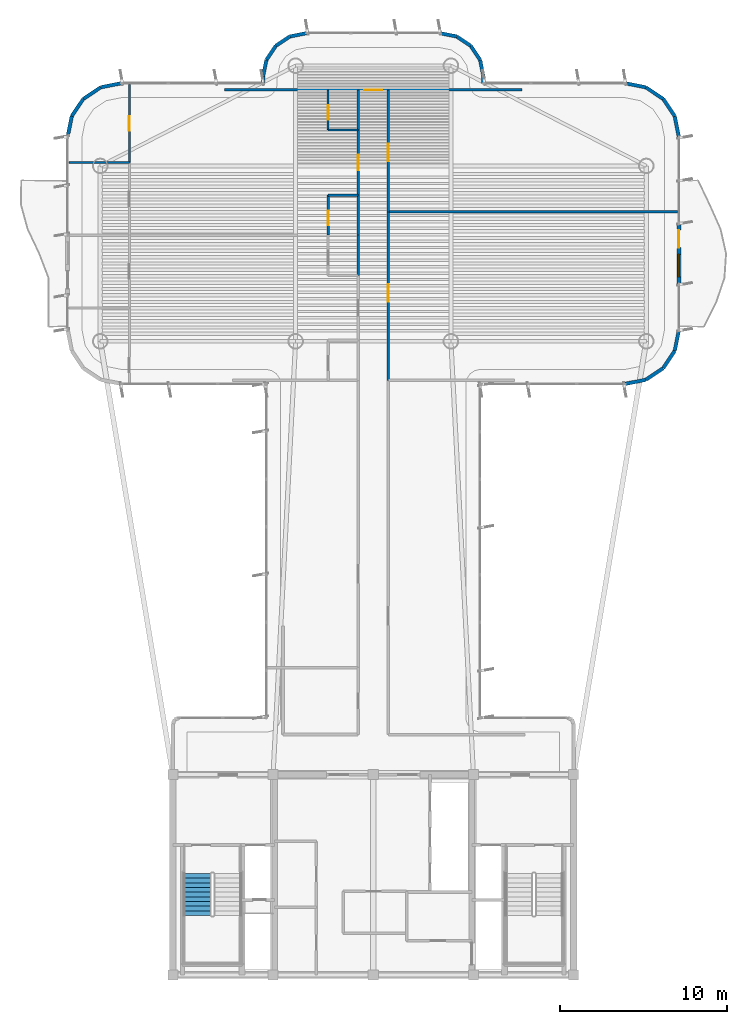
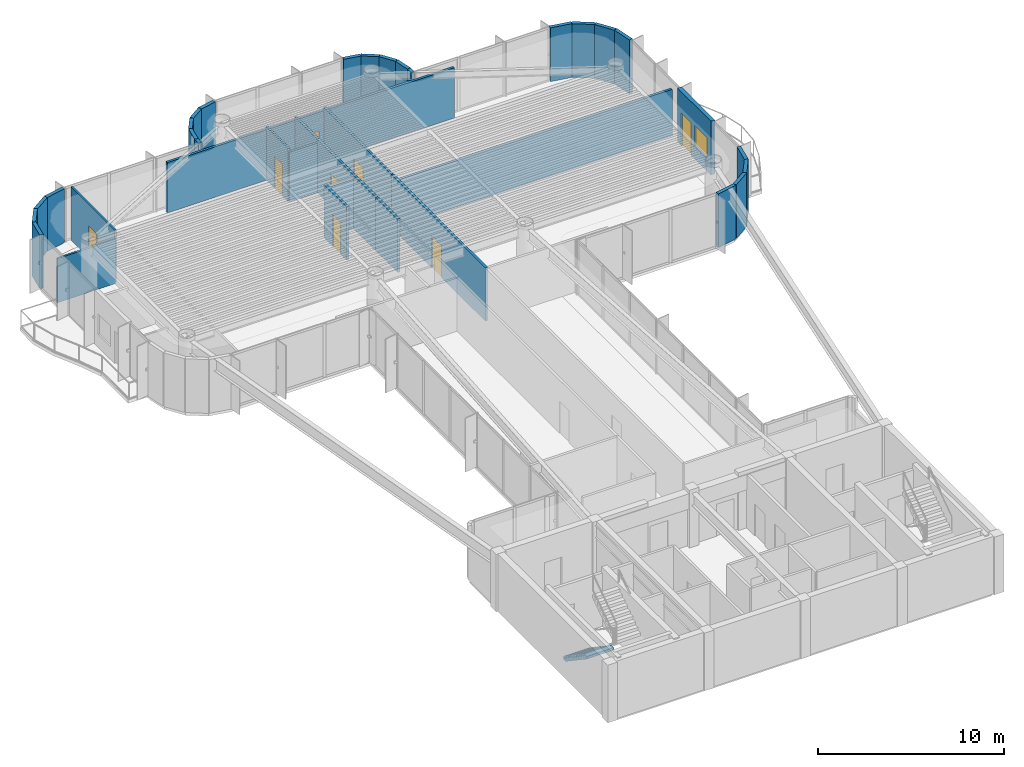
# One storey, part 12 of 15: 37 walls, 8 doors, 1 stair flight, 1 window, 9 openings, 1 element without a shape of its own.
"""IFC4 building model written with IfcOpenShell, lengths in metres."""

import ifcopenshell
import ifcopenshell.guid

model = None  # the IFC model being written
_history = None  # IfcOwnerHistory: only IFC2X3 demands one
_inside = {}  # id of a spatial element -> (the spatial element, [elements in it])
_under = {}  # id of a project, library or spatial element -> (it, [spatial elements below it])
_declared = {}  # id of a project -> (the project, [libraries it declares])
_typed = {}  # id of a type object -> (the type object, [elements of that type])
_made_of = {}  # id of a material, layer set ... -> (it, [elements and type objects made of it])


def new_model(schema):
    """Start an empty IFC model of exactly this schema.

    Asked for "IFC4X3", IfcOpenShell would pick the latest addendum, in which some entities
    have other attributes; the version numbers below select the first issue.
    IFC2X3 requires an IfcOwnerHistory on every rooted entity: one is made here for all.
    """
    global model, _history
    if schema == "IFC4X3":
        model = ifcopenshell.file(schema_version=(4, 3, 0, 0))
    else:
        model = ifcopenshell.file(schema=schema)
    _inside.clear()
    _under.clear()
    _declared.clear()
    _typed.clear()
    _made_of.clear()
    _history = None
    if model.schema == "IFC2X3":
        org = make("IfcOrganization", Name="unknown")
        user = make(
            "IfcPersonAndOrganization",
            ThePerson=make("IfcPerson", FamilyName="unknown"),
            TheOrganization=org,
        )
        app = make(
            "IfcApplication",
            ApplicationDeveloper=org,
            Version="unknown",
            ApplicationFullName="unknown",
            ApplicationIdentifier="unknown",
        )
        _history = make(
            "IfcOwnerHistory",
            OwningUser=user,
            OwningApplication=app,
            ChangeAction="ADDED",
            CreationDate=0,
        )
    return model


def make(cls, **values):
    """One entity of the class cls with the attributes given. An attribute that is None is left unset."""
    return model.create_entity(
        cls, **{name: value for name, value in values.items() if value is not None}
    )


def rooted(cls, **values):
    """An entity with a GlobalId (a new one), such as an element, a storey or a relation."""
    return make(cls, GlobalId=ifcopenshell.guid.new(), OwnerHistory=_history, **values)


def si_unit(unit_type, name, prefix=None):
    """IfcSIUnit, for example si_unit("LENGTHUNIT", "METRE", prefix="MILLI")."""
    return make("IfcSIUnit", UnitType=unit_type, Prefix=prefix, Name=name)


def assignment(units):
    """IfcUnitAssignment: the units of a project."""
    return None if units is None else make("IfcUnitAssignment", Units=units)


def point(xyz):
    """IfcCartesianPoint."""
    return None if xyz is None else make("IfcCartesianPoint", Coordinates=xyz)


def direction(xyz):
    """IfcDirection."""
    return None if xyz is None else make("IfcDirection", DirectionRatios=xyz)


def frame(location, z_axis=None, x_axis=None):
    """IfcAxis2Placement3D, a coordinate frame: its origin and axes. An axis left out is left unset."""
    return make(
        "IfcAxis2Placement3D",
        Location=point(location),
        Axis=direction(z_axis),
        RefDirection=direction(x_axis),
    )


def frame_2d(location, x_axis=None):
    """IfcAxis2Placement2D, a coordinate frame in the plane: its origin and x axis."""
    return make(
        "IfcAxis2Placement2D", Location=point(location), RefDirection=direction(x_axis)
    )


def origin():
    """The frame at (0, 0, 0) with its axes left unset."""
    return frame((0.0, 0.0, 0.0))


def origin_2d():
    """The frame at (0, 0) in the plane with its x axis left unset."""
    return frame_2d((0.0, 0.0))


def place(relative_to, where):
    """IfcLocalPlacement: puts the frame where relative to a parent placement (None: the world)."""
    return make(
        "IfcLocalPlacement", PlacementRelTo=relative_to, RelativePlacement=where
    )


def context(
    kind, dimensions, precision=None, world=None, true_north=None, identifier=None
):
    """IfcGeometricRepresentationContext, for example the 3D "Model" context."""
    return make(
        "IfcGeometricRepresentationContext",
        ContextIdentifier=identifier,
        ContextType=kind,
        CoordinateSpaceDimension=dimensions,
        Precision=precision,
        WorldCoordinateSystem=world,
        TrueNorth=true_north,
    )


def subcontext(parent, identifier, kind, view, scale=None):
    """IfcGeometricRepresentationSubContext, for example "Body" below "Model"."""
    return make(
        "IfcGeometricRepresentationSubContext",
        ContextIdentifier=identifier,
        ContextType=kind,
        ParentContext=parent,
        TargetScale=scale,
        TargetView=view,
    )


def project(units=None, contexts=None):
    """IfcProject with its units and contexts."""
    return rooted(
        "IfcProject",
        Name="project",
        RepresentationContexts=contexts,
        UnitsInContext=assignment(units),
    )


def spatial(cls, under=None, at=None, **own):
    """A site, building, storey or space (cls), placed at a placement, below another one or the project."""
    s = rooted(cls, ObjectPlacement=at, **own)
    if under is not None:
        _under.setdefault(under.id(), (under, []))[1].append(s)
    return s


def polyline(points):
    """IfcPolyline through the points."""
    return make("IfcPolyline", Points=[point(p) for p in points])


def profile(cls, at=None, kind="AREA", **sizes):
    """A parametric profile (cls). Its sizes go by their IFC names, for example OverallWidth=200.0."""
    return make(cls, ProfileType=kind, Position=at, **sizes)


def rectangle(**sizes):
    """IfcRectangleProfileDef."""
    return profile("IfcRectangleProfileDef", **sizes)


def outline(outer, holes=None, kind="AREA"):
    """IfcArbitraryClosedProfileDef: a profile drawn as a closed curve; with holes, ...WithVoids."""
    if holes is None:
        return make("IfcArbitraryClosedProfileDef", ProfileType=kind, OuterCurve=outer)
    return make(
        "IfcArbitraryProfileDefWithVoids",
        ProfileType=kind,
        OuterCurve=outer,
        InnerCurves=holes,
    )


def extrude(swept, where, along, depth):
    """IfcExtrudedAreaSolid: the profile swept, set in the frame where, extruded along a direction by depth."""
    return make(
        "IfcExtrudedAreaSolid",
        SweptArea=swept,
        Position=where,
        ExtrudedDirection=direction(along),
        Depth=depth,
    )


def shape(context_of_items, identifier, shape_type, items):
    """IfcShapeRepresentation: the items that make up one representation, for example the "Body"."""
    return make(
        "IfcShapeRepresentation",
        ContextOfItems=context_of_items,
        RepresentationIdentifier=identifier,
        RepresentationType=shape_type,
        Items=items,
    )


def source(mapping_origin, context_of_items, identifier, shape_type, items):
    """IfcRepresentationMap: a shape defined once, which mapped items show again and again."""
    return make(
        "IfcRepresentationMap",
        MappingOrigin=mapping_origin,
        MappedRepresentation=shape(context_of_items, identifier, shape_type, items),
    )


def transform(
    local_origin,
    x_axis=None,
    y_axis=None,
    z_axis=None,
    scale=None,
    scale2=None,
    scale3=None,
    uniform=True,
):
    """IfcCartesianTransformationOperator3D, or its non-uniform kind. x_axis, y_axis, z_axis: its Axis1, 2, 3."""
    if uniform:
        return make(
            "IfcCartesianTransformationOperator3D",
            Axis1=direction(x_axis),
            Axis2=direction(y_axis),
            LocalOrigin=point(local_origin),
            Scale=scale,
            Axis3=direction(z_axis),
        )
    return make(
        "IfcCartesianTransformationOperator3DnonUniform",
        Axis1=direction(x_axis),
        Axis2=direction(y_axis),
        LocalOrigin=point(local_origin),
        Scale=scale,
        Axis3=direction(z_axis),
        Scale2=scale2,
        Scale3=scale3,
    )


def mapped(mapping_source, mapping_target):
    """IfcMappedItem: shows the shape of a source again, moved by a transform."""
    return make(
        "IfcMappedItem", MappingSource=mapping_source, MappingTarget=mapping_target
    )


def material(Name=None, Category=None):
    """IfcMaterial."""
    return make("IfcMaterial", Name=Name, Category=Category)


def layer(
    of_material, thickness, ventilated=None, Name=None, Category=None, Priority=None
):
    """IfcMaterialLayer: one layer of a wall or slab, of a material (None: an air gap)."""
    return make(
        "IfcMaterialLayer",
        Material=of_material,
        LayerThickness=thickness,
        IsVentilated=ventilated,
        Name=Name,
        Category=Category,
        Priority=Priority,
    )


def layer_set(layers, Name=None):
    """IfcMaterialLayerSet."""
    return make("IfcMaterialLayerSet", MaterialLayers=layers, LayerSetName=Name)


def made_of(thing, what):
    """Note that an element or type object is made of a material, layer set ...; save() writes the relation."""
    if what is not None:
        _made_of.setdefault(what.id(), (what, []))[1].append(thing)
    return thing


def type_object(cls, material=None, **own):
    """A type object (cls), such as IfcWallType, which elements share."""
    return made_of(rooted(cls, **own), material)


def element(
    cls,
    number,
    at=None,
    inside=None,
    cuts=None,
    type_object=None,
    material=None,
    context=None,
    identifier="Body",
    shape_type=None,
    held_by="IfcProductDefinitionShape",
    body=None,
    shapes=None,
    **own,
):
    """One element of the class cls, such as IfcWall. Its Tag is "e" and its number.

    at: its placement. inside: the storey or other place that contains it. cuts: it is an
    opening in that element (IfcRelVoidsElement). A single representation is given by context,
    identifier, shape_type and body (its items); several are given by shapes. held_by: the class
    of the entity that holds the representations. save() writes the other relations.
    """
    e = rooted(cls, Tag="e%d" % number, ObjectPlacement=at, **own)
    if body is not None:
        shapes = [shape(context, identifier, shape_type, body)]
    if shapes is not None:
        e.Representation = make(held_by, Representations=shapes)
    if inside is not None:
        _inside.setdefault(inside.id(), (inside, []))[1].append(e)
    if cuts is not None:
        rooted(
            "IfcRelVoidsElement", RelatingBuildingElement=cuts, RelatedOpeningElement=e
        )
    if type_object is not None:
        _typed.setdefault(type_object.id(), (type_object, []))[1].append(e)
    return made_of(e, material)


def fill(opening, filler):
    """IfcRelFillsElement: the door or window that sits in an opening."""
    return rooted(
        "IfcRelFillsElement",
        RelatingOpeningElement=opening,
        RelatedBuildingElement=filler,
    )


def aggregate(whole, parts):
    """IfcRelAggregates: a whole, such as a stair, and the parts it consists of."""
    return rooted("IfcRelAggregates", RelatingObject=whole, RelatedObjects=parts)


def save(model, path):
    """Write the relations noted so far, then the file.

    IfcRelAggregates (storeys below a building ...), IfcRelContainedInSpatialStructure (elements
    in a storey), IfcRelDefinesByType, IfcRelAssociatesMaterial and IfcRelDeclares: one each for
    every whole, place, type object, material and project.
    """
    for whole, parts in _under.values():
        aggregate(whole, parts)
    for where, things in _inside.values():
        rooted(
            "IfcRelContainedInSpatialStructure",
            RelatedElements=things,
            RelatingStructure=where,
        )
    for kind, things in _typed.values():
        rooted("IfcRelDefinesByType", RelatedObjects=things, RelatingType=kind)
    for what, things in _made_of.values():
        rooted("IfcRelAssociatesMaterial", RelatedObjects=things, RelatingMaterial=what)
    for by, libraries in _declared.values():
        rooted("IfcRelDeclares", RelatingContext=by, RelatedDefinitions=libraries)
    model.write(path)


model = new_model("IFC4")

# Units and contexts
model_context = context("Model", 3, precision=1e-05, world=origin(), true_north=direction((0.0, 1.0)))
body_context = subcontext(model_context, "Body", "Model", "MODEL_VIEW")
ifc_project = project(units=[si_unit("LENGTHUNIT", "METRE"), si_unit("AREAUNIT", "SQUARE_METRE"), si_unit("VOLUMEUNIT", "CUBIC_METRE"), si_unit("PLANEANGLEUNIT", "RADIAN"), si_unit("MASSUNIT", "GRAM", prefix="KILO")], contexts=[model_context])

# Site, building, storey
site_placement = place(None, origin())
site = spatial("IfcSite", under=ifc_project, at=site_placement, CompositionType="ELEMENT")
building_placement = place(site_placement, origin())
building = spatial("IfcBuilding", under=site, at=building_placement, Name="Brelvock Crest Care Tower", CompositionType="ELEMENT")
storey_placement = place(building_placement, frame((0.0, 0.0, 279.719970703125)))
storey = spatial("IfcBuildingStorey", under=building, at=storey_placement, Name="L71", CompositionType="ELEMENT", Elevation=279.719970703125)

# Wall, openings, door, window
ifc_material_1 = material(Name="Precast concrete N40 (40 MPa)", Category="concrete")
ifc_layer_1 = layer(ifc_material_1, 0.239990234375, Name="WL-EX1")
ifc_layer_set_1 = layer_set([ifc_layer_1], Name="Precast concrete N40 (40 MPa)")
wall_type_1 = type_object("IfcWallType", Name="WL-EX1", PredefinedType="SOLIDWALL", material=ifc_layer_set_1)
wall_1_placement = place(storey_placement, frame((54.300048828125, 51.0, 0.0), z_axis=(0.0, 0.0, 1.0), x_axis=(0.0, -1.0, 0.0)))
wall_1 = element("IfcWall", 1, at=wall_1_placement, inside=storey, type_object=wall_type_1, Name="L71 Exterior Spandrel Wall WL-BAL-L71-E", PredefinedType="SOLIDWALL", context=body_context, shape_type="SweptSolid", body=[
    extrude(rectangle(XDim=3.60009765625, YDim=0.239990234375, at=frame_2d((1.800048828125, 0.0))), origin(), (0.0, 0.0, 1.0), 3.530029296875),
])
opening_1_placement = place(wall_1_placement, frame((0.39990234375, 0.0, 0.0)))
opening_1 = element("IfcOpeningElement", 2, at=opening_1_placement, cuts=wall_1, Name="Opening BD-1", PredefinedType="OPENING", context=body_context, shape_type="SweptSolid", body=[
    extrude(rectangle(XDim=1.050048828125, YDim=2.14990234375, at=origin_2d()), frame((0.52490234375, 0.1298828125, 1.074951171875), z_axis=(0.0, -1.0, 0.0), x_axis=(1.0, 0.0, 0.0)), (0.0, 0.0, 1.0), 0.260009765625),
])
opening_2_placement = place(wall_1_placement, frame((1.85009765625, 0.0, 0.85009765625)))
opening_2 = element("IfcOpeningElement", 3, at=opening_2_placement, cuts=wall_1, Name="Opening W-01", PredefinedType="OPENING", context=body_context, shape_type="SweptSolid", body=[
    extrude(rectangle(XDim=1.35009765625, YDim=1.35009765625, at=origin_2d()), frame((0.675048828125, 0.1298828125, 0.675048828125), z_axis=(0.0, -1.0, 0.0), x_axis=(1.0, 0.0, 0.0)), (0.0, 0.0, 1.0), 0.260009765625),
])
ifc_material_2 = material(Name="Dark Glass Double Glazed Low-E", Category="glass")
door_type_1 = type_object("IfcDoorType", Name="DR-BAL1", OperationType="NOTDEFINED", PredefinedType="DOOR", material=ifc_material_2)
shared_shape_1 = source(origin(), body_context, "Body", "SweptSolid", [
    extrude(rectangle(XDim=1.050048828125, YDim=2.14990234375, at=origin_2d()), frame((0.52490234375, 0.02490234375, 1.074951171875), z_axis=(0.0, -1.0, 0.0), x_axis=(1.0, 0.0, 0.0)), (0.0, 0.0, 1.0), 0.050048828125),
])
door_1_placement = place(opening_1_placement, origin())
door_1 = element("IfcDoor", 4, at=door_1_placement, inside=storey, type_object=door_type_1, Name="L71 E Wave Balcony Glazed Door", OperationType="SINGLE_SWING_RIGHT", OverallHeight=2.14990234375, OverallWidth=1.050048828125, PredefinedType="DOOR", context=body_context, shape_type="MappedRepresentation", body=[
    mapped(shared_shape_1, transform((0.0, 0.0, 0.0), x_axis=(1.0, 0.0, 0.0), y_axis=(0.0, 1.0, 0.0), z_axis=(0.0, 0.0, 1.0), scale=1.0)),
])
fill(opening_1, door_1)
window_type = type_object("IfcWindowType", Name="WN-EX1", PartitioningType="SINGLE_PANEL", PredefinedType="WINDOW", material=ifc_material_2)
shared_shape_2 = source(origin(), body_context, "Body", "SweptSolid", [
    extrude(rectangle(XDim=1.35009765625, YDim=1.35009765625, at=origin_2d()), frame((0.675048828125, 0.030029296875, 0.675048828125), z_axis=(0.0, -1.0, 0.0), x_axis=(1.0, 0.0, 0.0)), (0.0, 0.0, 1.0), 0.06005859375),
])
window_placement = place(opening_2_placement, origin())
window = element("IfcWindow", 5, at=window_placement, inside=storey, type_object=window_type, Name="L71 E Suite Casement Window", OverallHeight=1.35009765625, OverallWidth=1.35009765625, PartitioningType="SINGLE_PANEL", PredefinedType="WINDOW", context=body_context, shape_type="MappedRepresentation", body=[
    mapped(shared_shape_2, transform((0.0, 0.0, 0.0), x_axis=(1.0, 0.0, 0.0), y_axis=(0.0, 1.0, 0.0), z_axis=(0.0, 0.0, 1.0), scale=1.0)),
])
fill(opening_2, window)

# Walls
ifc_layer_2 = layer(ifc_material_1, 0.215087890625, Name="WL-EX2")
ifc_layer_set_2 = layer_set([ifc_layer_2], Name="Precast concrete N40 (40 MPa)")
wall_type_2 = type_object("IfcWallType", Name="WL-EX2", PredefinedType="SOLIDWALL", material=ifc_layer_set_2)
for number, where, z_axis, x_axis, name in (
    (6, (17.699951171875, 56.199951171875, 0.0), (0.0, 0.0, 1.0), (0.195138390419, 0.980775717779, 0.0), "L71 Rounded Corner Wall 18"),
    (7, (17.943603515625, 57.424560546875, 0.0), (0.0, 0.0, 1.0), (0.555557312883, 0.831478245117, 0.0), "L71 Rounded Corner Wall 19"),
    (8, (18.63720703125, 58.462646484375, 0.0), (0.0, 0.0, 1.0), (0.831387912822, 0.555692485475, 0.0), "L71 Rounded Corner Wall 20"),
    (9, (19.67529296875, 59.156494140625, 0.0), (0.0, 0.0, 1.0), (0.980813122964, 0.194950295773, 0.0), "L71 Rounded Corner Wall 21"),
):
    element("IfcWall", number, at=place(storey_placement, frame(where, z_axis=z_axis, x_axis=x_axis)), inside=storey, type_object=wall_type_2, Name=name, PredefinedType="SOLIDWALL", context=body_context, shape_type="SweptSolid", body=[
        extrude(rectangle(XDim=1.24853515625, YDim=0.215087890625, at=frame_2d((0.624267578125, 0.0))), origin(), (0.0, 0.0, 1.0), 3.530029296875),
    ])
wall_2_placement = place(storey_placement, frame((29.39990234375, 59.39990234375, 0.0), z_axis=(0.0, 0.0, 1.0), x_axis=(0.0, 1.0, 0.0)))
element("IfcWall", 10, at=wall_2_placement, inside=storey, type_object=wall_type_2, Name="L71 Rounded Corner Wall 23", PredefinedType="SOLIDWALL", context=body_context, shape_type="SweptSolid", body=[
    extrude(rectangle(XDim=0.400146484375, YDim=0.215087890625, at=frame_2d((0.2001953125, 0.0))), origin(), (0.0, 0.0, 1.0), 3.530029296875),
])
wall_3_placement = place(storey_placement, frame((29.39990234375, 59.800048828125, 0.0), z_axis=(0.0, 0.0, 1.0), x_axis=(0.195190360752, 0.980765376158, 0.0)))
element("IfcWall", 11, at=wall_3_placement, inside=storey, type_object=wall_type_2, Name="L71 Rounded Corner Wall 24", PredefinedType="SOLIDWALL", context=body_context, shape_type="SweptSolid", body=[
    extrude(rectangle(XDim=1.014404296875, YDim=0.215087890625, at=frame_2d((0.50732421875, 0.0))), origin(), (0.0, 0.0, 1.0), 3.530029296875),
])
wall_4_placement = place(storey_placement, frame((29.597900390625, 60.794921875, 0.0), z_axis=(0.0, 0.0, 1.0), x_axis=(0.555643898837, 0.831420385657, 0.0)))
element("IfcWall", 12, at=wall_4_placement, inside=storey, type_object=wall_type_2, Name="L71 Rounded Corner Wall 25", PredefinedType="SOLIDWALL", context=body_context, shape_type="SweptSolid", body=[
    extrude(rectangle(XDim=1.0146484375, YDim=0.215087890625, at=frame_2d((0.50732421875, 0.0))), origin(), (0.0, 0.0, 1.0), 3.530029296875),
])
wall_5_placement = place(storey_placement, frame((30.16162109375, 61.638427734375, 0.0), z_axis=(0.0, 0.0, 1.0), x_axis=(0.831346067305, 0.555755086685, 0.0)))
element("IfcWall", 13, at=wall_5_placement, inside=storey, type_object=wall_type_2, Name="L71 Rounded Corner Wall 26", PredefinedType="SOLIDWALL", context=body_context, shape_type="SweptSolid", body=[
    extrude(rectangle(XDim=1.014404296875, YDim=0.215087890625, at=frame_2d((0.50732421875, 0.0))), origin(), (0.0, 0.0, 1.0), 3.530029296875),
])
for number, where, z_axis, x_axis, name in (
    (14, (31.0048828125, 62.2021484375, 0.0), (0.0, 0.0, 1.0), (0.980820570666, 0.194912821943, 0.0), "L71 Rounded Corner Wall 27"),
    (15, (40.0, 62.39990234375, 0.0), (0.0, 0.0, 1.0), (0.980820570666, -0.194912821943, 0.0), "L71 Rounded Corner Wall 29"),
):
    element("IfcWall", number, at=place(storey_placement, frame(where, z_axis=z_axis, x_axis=x_axis)), inside=storey, type_object=wall_type_2, Name=name, PredefinedType="SOLIDWALL", context=body_context, shape_type="SweptSolid", body=[
        extrude(rectangle(XDim=1.0146484375, YDim=0.215087890625, at=frame_2d((0.50732421875, 0.0))), origin(), (0.0, 0.0, 1.0), 3.530029296875),
    ])
wall_6_placement = place(storey_placement, frame((40.9951171875, 62.2021484375, 0.0), z_axis=(0.0, 0.0, 1.0), x_axis=(0.831346067305, -0.555755086685, 0.0)))
element("IfcWall", 16, at=wall_6_placement, inside=storey, type_object=wall_type_2, Name="L71 Rounded Corner Wall 30", PredefinedType="SOLIDWALL", context=body_context, shape_type="SweptSolid", body=[
    extrude(rectangle(XDim=1.014404296875, YDim=0.215087890625, at=frame_2d((0.50732421875, 0.0))), origin(), (0.0, 0.0, 1.0), 3.530029296875),
])
wall_7_placement = place(storey_placement, frame((41.83837890625, 61.638427734375, 0.0), z_axis=(0.0, 0.0, 1.0), x_axis=(0.555643898837, -0.831420385657, 0.0)))
element("IfcWall", 17, at=wall_7_placement, inside=storey, type_object=wall_type_2, Name="L71 Rounded Corner Wall 31", PredefinedType="SOLIDWALL", context=body_context, shape_type="SweptSolid", body=[
    extrude(rectangle(XDim=1.0146484375, YDim=0.215087890625, at=frame_2d((0.50732421875, 0.0))), origin(), (0.0, 0.0, 1.0), 3.530029296875),
])
wall_8_placement = place(storey_placement, frame((42.402099609375, 60.794921875, 0.0), z_axis=(0.0, 0.0, 1.0), x_axis=(0.195190360752, -0.980765376158, 0.0)))
element("IfcWall", 18, at=wall_8_placement, inside=storey, type_object=wall_type_2, Name="L71 Rounded Corner Wall 32", PredefinedType="SOLIDWALL", context=body_context, shape_type="SweptSolid", body=[
    extrude(rectangle(XDim=1.014404296875, YDim=0.215087890625, at=frame_2d((0.50732421875, 0.0))), origin(), (0.0, 0.0, 1.0), 3.530029296875),
])
wall_9_placement = place(storey_placement, frame((42.60009765625, 59.800048828125, 0.0), z_axis=(0.0, 0.0, 1.0), x_axis=(0.0, -1.0, 0.0)))
element("IfcWall", 19, at=wall_9_placement, inside=storey, type_object=wall_type_2, Name="L71 Rounded Corner Wall 33", PredefinedType="SOLIDWALL", context=body_context, shape_type="SweptSolid", body=[
    extrude(rectangle(XDim=0.400146484375, YDim=0.215087890625, at=frame_2d((0.2001953125, 0.0))), origin(), (0.0, 0.0, 1.0), 3.530029296875),
])
for number, where, z_axis, x_axis, name in (
    (20, (51.10009765625, 59.39990234375, 0.0), (0.0, 0.0, 1.0), (0.980813122964, -0.194950295773, 0.0), "L71 Rounded Corner Wall 35"),
    (21, (52.32470703125, 59.156494140625, 0.0), (0.0, 0.0, 1.0), (0.831387912822, -0.555692485475, 0.0), "L71 Rounded Corner Wall 36"),
    (22, (53.36279296875, 58.462646484375, 0.0), (0.0, 0.0, 1.0), (0.555557312883, -0.831478245117, 0.0), "L71 Rounded Corner Wall 37"),
    (23, (54.056396484375, 57.424560546875, 0.0), (0.0, 0.0, 1.0), (0.195138390419, -0.980775717779, 0.0), "L71 Rounded Corner Wall 38"),
    (24, (54.300048828125, 44.60009765625, 0.0), (0.0, 0.0, 1.0), (-0.195138390419, -0.980775717779, 0.0), "L71 Rounded Corner Wall 40"),
    (25, (54.056396484375, 43.37548828125, 0.0), (0.0, 0.0, 1.0), (-0.555557312883, -0.831478245117, 0.0), "L71 Rounded Corner Wall 41"),
    (26, (53.36279296875, 42.33740234375, 0.0), (0.0, 0.0, 1.0), (-0.831387912822, -0.555692485475, 0.0), "L71 Rounded Corner Wall 42"),
    (27, (52.32470703125, 41.6435546875, 0.0), (0.0, 0.0, 1.0), (-0.980775717779, -0.195138390419, 0.0), "L71 Rounded Corner Wall 43"),
):
    element("IfcWall", number, at=place(storey_placement, frame(where, z_axis=z_axis, x_axis=x_axis)), inside=storey, type_object=wall_type_2, Name=name, PredefinedType="SOLIDWALL", context=body_context, shape_type="SweptSolid", body=[
        extrude(rectangle(XDim=1.24853515625, YDim=0.215087890625, at=frame_2d((0.624267578125, 0.0))), origin(), (0.0, 0.0, 1.0), 3.530029296875),
    ])
ifc_material_3 = material(Name="Masonry Blockwork Acoustic Partition", Category="masonry")
ifc_layer_3 = layer(ifc_material_3, 0.14990234375, Name="WL-INT1")
ifc_layer_set_3 = layer_set([ifc_layer_3], Name="Masonry Blockwork Acoustic Partition")
wall_type_3 = type_object("IfcWallType", Name="WL-INT1", PredefinedType="PARTITIONING", material=ifc_layer_set_3)
wall_10_placement = place(storey_placement, frame((36.89990234375, 51.699951171875, 0.0), z_axis=(0.0, 0.0, 1.0), x_axis=(1.0, 0.0, 0.0)))
element("IfcWall", 28, at=wall_10_placement, inside=storey, type_object=wall_type_3, Name="L71 Interior Wall WL-BX-L71-EPCL-N", PredefinedType="PARTITIONING", context=body_context, shape_type="SweptSolid", body=[
    extrude(rectangle(XDim=17.320068359375, YDim=0.14990234375, at=frame_2d((8.66015625, 0.0))), origin(), (0.0, 0.0, 1.0), 3.054931640625),
])

# Wall, opening, door
wall_11_placement = place(storey_placement, frame((27.10009765625, 59.0, 0.0), z_axis=(0.0, 0.0, 1.0), x_axis=(1.0, 0.0, 0.0)))
wall_11 = element("IfcWall", 29, at=wall_11_placement, inside=storey, type_object=wall_type_3, Name="L71 Interior Wall WL-RM-L71-PHNH", PredefinedType="PARTITIONING", context=body_context, shape_type="SweptSolid", body=[
    extrude(rectangle(XDim=17.7998046875, YDim=0.14990234375, at=frame_2d((8.89990234375, 0.0))), origin(), (0.0, 0.0, 1.0), 3.30810546875),
])
opening_3_placement = place(wall_11_placement, frame((8.375, 0.0, 0.0)))
opening_3 = element("IfcOpeningElement", 30, at=opening_3_placement, cuts=wall_11, Name="Opening CLD-1", PredefinedType="OPENING", context=body_context, shape_type="SweptSolid", body=[
    extrude(rectangle(XDim=1.050048828125, YDim=2.10009765625, at=origin_2d()), frame((0.52490234375, 0.0849609375, 1.050048828125), z_axis=(0.0, -1.0, 0.0), x_axis=(1.0, 0.0, 0.0)), (0.0, 0.0, 1.0), 0.169921875),
])
ifc_material_4 = material(Name="Engineered Hardwood Timber", Category="wood")
door_type_2 = type_object("IfcDoorType", Name="DR-CLN1", OperationType="NOTDEFINED", PredefinedType="DOOR", material=ifc_material_4)
shared_shape_3 = source(origin(), body_context, "Body", "SweptSolid", [
    extrude(rectangle(XDim=1.050048828125, YDim=2.10009765625, at=origin_2d()), frame((0.52490234375, 0.02490234375, 1.050048828125), z_axis=(0.0, -1.0, 0.0), x_axis=(1.0, 0.0, 0.0)), (0.0, 0.0, 1.0), 0.050048828125),
])
door_2_placement = place(opening_3_placement, origin())
door_2 = element("IfcDoor", 31, at=door_2_placement, inside=storey, type_object=door_type_2, Name="L71 Crest Sky Harbour Observatory Salon Door PHNH", OperationType="SINGLE_SWING_LEFT", OverallHeight=2.10009765625, OverallWidth=1.050048828125, PredefinedType="DOOR", context=body_context, shape_type="MappedRepresentation", body=[
    mapped(shared_shape_3, transform((0.0, 0.0, 0.0), x_axis=(1.0, 0.0, 0.0), y_axis=(0.0, 1.0, 0.0), z_axis=(0.0, 0.0, 1.0), scale=1.0)),
])
fill(opening_3, door_2)

# Wall
wall_12_placement = place(storey_placement, frame((35.10009765625, 47.89990234375, 0.0), z_axis=(0.0, 0.0, 1.0), x_axis=(0.0, 1.0, 0.0)))
element("IfcWall", 32, at=wall_12_placement, inside=storey, type_object=wall_type_3, Name="L71 Interior Wall WL-UCK-L71-WPF1", PredefinedType="PARTITIONING", context=body_context, shape_type="SweptSolid", body=[
    extrude(rectangle(XDim=2.400146484375, YDim=0.14990234375, at=frame_2d((1.2001953125, 0.0))), origin(), (0.0, 0.0, 1.0), 3.5),
])

# Wall, opening, door
wall_13_placement = place(storey_placement, frame((35.10009765625, 52.699951171875, 0.0), z_axis=(0.0, 0.0, 1.0), x_axis=(0.0, 1.0, 0.0)))
wall_13 = element("IfcWall", 33, at=wall_13_placement, inside=storey, type_object=wall_type_3, Name="L71 Interior Wall WL-UENT-L71-WPF2", PredefinedType="PARTITIONING", context=body_context, shape_type="SweptSolid", body=[
    extrude(rectangle(XDim=3.900146484375, YDim=0.14990234375, at=frame_2d((1.9501953125, 0.0))), origin(), (0.0, 0.0, 1.0), 3.5),
])
opening_4_placement = place(wall_13_placement, frame((1.489990234375, 0.0, 0.0)))
opening_4 = element("IfcOpeningElement", 34, at=opening_4_placement, cuts=wall_13, Name="Opening AD-1", PredefinedType="OPENING", context=body_context, shape_type="SweptSolid", body=[
    extrude(rectangle(XDim=0.919921875, YDim=2.10009765625, at=origin_2d()), frame((0.4599609375, 0.0849609375, 1.050048828125), z_axis=(0.0, -1.0, 0.0), x_axis=(1.0, 0.0, 0.0)), (0.0, 0.0, 1.0), 0.169921875),
])
door_type_3 = type_object("IfcDoorType", Name="DR-APT1", OperationType="NOTDEFINED", PredefinedType="DOOR", material=ifc_material_4)
shared_shape_4 = source(origin(), body_context, "Body", "SweptSolid", [
    extrude(rectangle(XDim=0.919921875, YDim=2.10009765625, at=origin_2d()), frame((0.4599609375, 0.02490234375, 1.050048828125), z_axis=(0.0, -1.0, 0.0), x_axis=(1.0, 0.0, 0.0)), (0.0, 0.0, 1.0), 0.050048828125),
])
door_3_placement = place(opening_4_placement, origin())
door_3 = element("IfcDoor", 35, at=door_3_placement, inside=storey, type_object=door_type_3, Name="L71 Apartment Entrance WPF2", OperationType="SINGLE_SWING_LEFT", OverallHeight=2.10009765625, OverallWidth=0.919921875, PredefinedType="DOOR", context=body_context, shape_type="MappedRepresentation", body=[
    mapped(shared_shape_4, transform((0.0, 0.0, 0.0), x_axis=(1.0, 0.0, 0.0), y_axis=(0.0, 1.0, 0.0), z_axis=(0.0, 0.0, 1.0), scale=1.0)),
])
fill(opening_4, door_3)

# Wall
wall_14_placement = place(storey_placement, frame((35.10009765625, 56.60009765625, 0.0), z_axis=(0.0, 0.0, 1.0), x_axis=(0.0, 1.0, 0.0)))
element("IfcWall", 36, at=wall_14_placement, inside=storey, type_object=wall_type_3, Name="L71 Interior Wall WL-UCK-L71-WPF2", PredefinedType="PARTITIONING", context=body_context, shape_type="SweptSolid", body=[
    extrude(rectangle(XDim=2.39990234375, YDim=0.14990234375, at=frame_2d((1.199951171875, 0.0))), origin(), (0.0, 0.0, 1.0), 3.5),
])

# Wall, opening, door
wall_15_placement = place(storey_placement, frame((36.89990234375, 41.60009765625, 0.0), z_axis=(0.0, 0.0, 1.0), x_axis=(0.0, 1.0, 0.0)))
wall_15 = element("IfcWall", 37, at=wall_15_placement, inside=storey, type_object=wall_type_3, Name="L71 Interior Wall WL-RM-L71-EPCL", PredefinedType="PARTITIONING", context=body_context, shape_type="SweptSolid", body=[
    extrude(rectangle(XDim=10.099853515625, YDim=0.14990234375, at=frame_2d((5.0498046875, 0.0))), origin(), (0.0, 0.0, 1.0), 3.5),
])
opening_5_placement = place(wall_15_placement, frame((4.72509765625, 0.0, 0.0)))
opening_5 = element("IfcOpeningElement", 38, at=opening_5_placement, cuts=wall_15, Name="Opening CLD-1", PredefinedType="OPENING", context=body_context, shape_type="SweptSolid", body=[
    extrude(rectangle(XDim=1.050048828125, YDim=2.10009765625, at=origin_2d()), frame((0.52490234375, 0.0849609375, 1.050048828125), z_axis=(0.0, -1.0, 0.0), x_axis=(1.0, 0.0, 0.0)), (0.0, 0.0, 1.0), 0.169921875),
])
door_4_placement = place(opening_5_placement, origin())
door_4 = element("IfcDoor", 39, at=door_4_placement, inside=storey, type_object=door_type_2, Name="L71 Crest Longevity Assessment Clinic Door EPCL", OperationType="SINGLE_SWING_LEFT", OverallHeight=2.10009765625, OverallWidth=1.050048828125, PredefinedType="DOOR", context=body_context, shape_type="MappedRepresentation", body=[
    mapped(shared_shape_3, transform((0.0, 0.0, 0.0), x_axis=(1.0, 0.0, 0.0), y_axis=(0.0, 1.0, 0.0), z_axis=(0.0, 0.0, 1.0), scale=1.0)),
])
fill(opening_5, door_4)

wall_16_placement = place(storey_placement, frame((36.89990234375, 51.699951171875, 0.0), z_axis=(0.0, 0.0, 1.0), x_axis=(0.0, 1.0, 0.0)))
wall_16 = element("IfcWall", 40, at=wall_16_placement, inside=storey, type_object=wall_type_3, Name="L71 Interior Wall WL-RM-L71-EPSL", PredefinedType="PARTITIONING", context=body_context, shape_type="SweptSolid", body=[
    extrude(rectangle(XDim=7.300048828125, YDim=0.14990234375, at=frame_2d((3.64990234375, 0.0))), origin(), (0.0, 0.0, 1.0), 3.5),
])
opening_6_placement = place(wall_16_placement, frame((3.02490234375, 0.0, 0.0)))
opening_6 = element("IfcOpeningElement", 41, at=opening_6_placement, cuts=wall_16, Name="Opening CLD-1", PredefinedType="OPENING", context=body_context, shape_type="SweptSolid", body=[
    extrude(rectangle(XDim=1.050048828125, YDim=2.10009765625, at=origin_2d()), frame((0.52490234375, 0.0849609375, 1.050048828125), z_axis=(0.0, -1.0, 0.0), x_axis=(1.0, 0.0, 0.0)), (0.0, 0.0, 1.0), 0.169921875),
])
door_5_placement = place(opening_6_placement, origin())
door_5 = element("IfcDoor", 42, at=door_5_placement, inside=storey, type_object=door_type_2, Name="L71 Crest Executive Wellness Salon Door EPSL", OperationType="SINGLE_SWING_LEFT", OverallHeight=2.10009765625, OverallWidth=1.050048828125, PredefinedType="DOOR", context=body_context, shape_type="MappedRepresentation", body=[
    mapped(shared_shape_3, transform((0.0, 0.0, 0.0), x_axis=(1.0, 0.0, 0.0), y_axis=(0.0, 1.0, 0.0), z_axis=(0.0, 0.0, 1.0), scale=1.0)),
])
fill(opening_6, door_5)

# Walls
ifc_material_5 = material(Name="Gypsum Plasterboard Partition", Category="gypsum")
ifc_layer_4 = layer(ifc_material_5, 0.1201171875, Name="WL-INT2")
ifc_layer_set_4 = layer_set([ifc_layer_4], Name="Gypsum Plasterboard Partition")
wall_type_4 = type_object("IfcWallType", Name="WL-INT2", PredefinedType="PARTITIONING", material=ifc_layer_set_4)
wall_17_placement = place(storey_placement, frame((17.780029296875, 54.64990234375, 0.0), z_axis=(0.0, 0.0, 1.0), x_axis=(1.0, 0.0, 0.0)))
element("IfcWall", 43, at=wall_17_placement, inside=storey, type_object=wall_type_4, Name="L71 Interior Wall WL-UBSP-L71-WPF2", PredefinedType="PARTITIONING", context=body_context, shape_type="SweptSolid", body=[
    extrude(rectangle(XDim=3.60986328125, YDim=0.1201171875, at=frame_2d((1.804931640625, 0.0))), origin(), (0.0, 0.0, 1.0), 2.903076171875),
])
wall_18_placement = place(storey_placement, frame((33.300048828125, 56.60009765625, 0.0), z_axis=(0.0, 0.0, 1.0), x_axis=(1.0, 0.0, 0.0)))
element("IfcWall", 44, at=wall_18_placement, inside=storey, type_object=wall_type_4, Name="L71 Interior Wall WL-UKIT2-L71-WPF2", PredefinedType="PARTITIONING", context=body_context, shape_type="SweptSolid", body=[
    extrude(rectangle(XDim=1.800048828125, YDim=0.1201171875, at=frame_2d((0.89990234375, 0.0))), origin(), (0.0, 0.0, 1.0), 3.259033203125),
])

# Wall, opening, door
wall_19_placement = place(storey_placement, frame((21.389892578125, 54.64990234375, 0.0), z_axis=(0.0, 0.0, 1.0), x_axis=(0.0, 1.0, 0.0)))
wall_19 = element("IfcWall", 45, at=wall_19_placement, inside=storey, type_object=wall_type_4, Name="L71 Interior Wall WL-UBD2-L71-WPF2", PredefinedType="PARTITIONING", context=body_context, shape_type="SweptSolid", body=[
    extrude(rectangle(XDim=4.67041015625, YDim=0.1201171875, at=frame_2d((2.335205078125, 0.0))), origin(), (0.0, 0.0, 1.0), 3.5),
])
opening_7_placement = place(wall_19_placement, frame((1.905029296875, 0.0, 0.0)))
opening_7 = element("IfcOpeningElement", 46, at=opening_7_placement, cuts=wall_19, Name="Opening ID-1", PredefinedType="OPENING", context=body_context, shape_type="SweptSolid", body=[
    extrude(rectangle(XDim=0.860107421875, YDim=2.10009765625, at=origin_2d()), frame((0.43017578125, 0.070068359375, 1.050048828125), z_axis=(0.0, -1.0, 0.0), x_axis=(1.0, 0.0, 0.0)), (0.0, 0.0, 1.0), 0.14013671875),
])
door_type_4 = type_object("IfcDoorType", Name="DR-INT1", OperationType="NOTDEFINED", PredefinedType="DOOR", material=ifc_material_4)
shared_shape_5 = source(origin(), body_context, "Body", "SweptSolid", [
    extrude(rectangle(XDim=0.860107421875, YDim=2.10009765625, at=origin_2d()), frame((0.43017578125, 0.02490234375, 1.050048828125), z_axis=(0.0, -1.0, 0.0), x_axis=(1.0, 0.0, 0.0)), (0.0, 0.0, 1.0), 0.050048828125),
])
door_6_placement = place(opening_7_placement, origin())
door_6 = element("IfcDoor", 47, at=door_6_placement, inside=storey, type_object=door_type_4, Name="L71 Second Room Door WPF2", OperationType="SINGLE_SWING_LEFT", OverallHeight=2.10009765625, OverallWidth=0.860107421875, PredefinedType="DOOR", context=body_context, shape_type="MappedRepresentation", body=[
    mapped(shared_shape_5, transform((0.0, 0.0, 0.0), x_axis=(1.0, 0.0, 0.0), y_axis=(0.0, 1.0, 0.0), z_axis=(0.0, 0.0, 1.0), scale=1.0)),
])
fill(opening_7, door_6)

wall_20_placement = place(storey_placement, frame((33.300048828125, 56.60009765625, 0.0), z_axis=(0.0, 0.0, 1.0), x_axis=(0.0, 1.0, 0.0)))
wall_20 = element("IfcWall", 48, at=wall_20_placement, inside=storey, type_object=wall_type_4, Name="L71 Interior Wall WL-UKIT1-L71-WPF2", PredefinedType="PARTITIONING", context=body_context, shape_type="SweptSolid", body=[
    extrude(rectangle(XDim=2.39990234375, YDim=0.1201171875, at=frame_2d((1.199951171875, 0.0))), origin(), (0.0, 0.0, 1.0), 3.5),
])
opening_8_placement = place(wall_20_placement, frame((0.6201171875, 0.0, 0.0)))
opening_8 = element("IfcOpeningElement", 49, at=opening_8_placement, cuts=wall_20, Name="Opening ID-1", PredefinedType="OPENING", context=body_context, shape_type="SweptSolid", body=[
    extrude(rectangle(XDim=0.860107421875, YDim=2.10009765625, at=origin_2d()), frame((0.43017578125, 0.070068359375, 1.050048828125), z_axis=(0.0, -1.0, 0.0), x_axis=(1.0, 0.0, 0.0)), (0.0, 0.0, 1.0), 0.14013671875),
])
door_7_placement = place(opening_8_placement, origin())
door_7 = element("IfcDoor", 50, at=door_7_placement, inside=storey, type_object=door_type_4, Name="L71 Kitchen Door WPF2", OperationType="SINGLE_SWING_LEFT", OverallHeight=2.10009765625, OverallWidth=0.860107421875, PredefinedType="DOOR", context=body_context, shape_type="MappedRepresentation", body=[
    mapped(shared_shape_5, transform((0.0, 0.0, 0.0), x_axis=(1.0, 0.0, 0.0), y_axis=(0.0, 1.0, 0.0), z_axis=(0.0, 0.0, 1.0), scale=1.0)),
])
fill(opening_8, door_7)

# Wall
ifc_layer_5 = layer(ifc_material_5, 0.159912109375, Name="WL-PLM1")
ifc_layer_set_5 = layer_set([ifc_layer_5], Name="Gypsum Plasterboard Partition")
wall_type_5 = type_object("IfcWallType", Name="WL-PLM1", PredefinedType="PLUMBINGWALL", material=ifc_layer_set_5)
wall_21_placement = place(storey_placement, frame((33.300048828125, 52.699951171875, 0.0), z_axis=(0.0, 0.0, 1.0), x_axis=(1.0, 0.0, 0.0)))
element("IfcWall", 51, at=wall_21_placement, inside=storey, type_object=wall_type_5, Name="L71 Interior Wall WL-UBTH2-L71-WPF2", PredefinedType="PLUMBINGWALL", context=body_context, shape_type="SweptSolid", body=[
    extrude(rectangle(XDim=1.800048828125, YDim=0.159912109375, at=frame_2d((0.89990234375, 0.0))), origin(), (0.0, 0.0, 1.0), 3.259033203125),
])

# Wall, opening, door
wall_22_placement = place(storey_placement, frame((33.300048828125, 50.300048828125, 0.0), z_axis=(0.0, 0.0, 1.0), x_axis=(0.0, 1.0, 0.0)))
wall_22 = element("IfcWall", 52, at=wall_22_placement, inside=storey, type_object=wall_type_5, Name="L71 Interior Wall WL-UBTH1-L71-WPF2", PredefinedType="PLUMBINGWALL", context=body_context, shape_type="SweptSolid", body=[
    extrude(rectangle(XDim=2.39990234375, YDim=0.159912109375, at=frame_2d((1.199951171875, 0.0))), origin(), (0.0, 0.0, 1.0), 3.5),
])
opening_9_placement = place(wall_22_placement, frame((0.60009765625, 0.0, 0.0)))
opening_9 = element("IfcOpeningElement", 53, at=opening_9_placement, cuts=wall_22, Name="Opening WD-1", PredefinedType="OPENING", context=body_context, shape_type="SweptSolid", body=[
    extrude(rectangle(XDim=0.860107421875, YDim=2.10009765625, at=origin_2d()), frame((0.43017578125, 0.08984375, 1.050048828125), z_axis=(0.0, -1.0, 0.0), x_axis=(1.0, 0.0, 0.0)), (0.0, 0.0, 1.0), 0.179931640625),
])
door_type_5 = type_object("IfcDoorType", Name="DR-WC1", OperationType="NOTDEFINED", PredefinedType="DOOR", material=ifc_material_4)
shared_shape_6 = source(origin(), body_context, "Body", "SweptSolid", [
    extrude(rectangle(XDim=0.860107421875, YDim=2.10009765625, at=origin_2d()), frame((0.43017578125, 0.02490234375, 1.050048828125), z_axis=(0.0, -1.0, 0.0), x_axis=(1.0, 0.0, 0.0)), (0.0, 0.0, 1.0), 0.050048828125),
])
door_8_placement = place(opening_9_placement, origin())
door_8 = element("IfcDoor", 54, at=door_8_placement, inside=storey, type_object=door_type_5, Name="L71 Bathroom Door WPF2", OperationType="SINGLE_SWING_LEFT", OverallHeight=2.10009765625, OverallWidth=0.860107421875, PredefinedType="DOOR", context=body_context, shape_type="MappedRepresentation", body=[
    mapped(shared_shape_6, transform((0.0, 0.0, 0.0), x_axis=(1.0, 0.0, 0.0), y_axis=(0.0, 1.0, 0.0), z_axis=(0.0, 0.0, 1.0), scale=1.0)),
])
fill(opening_9, door_8)

# Wall
wall_23_placement = place(storey_placement, frame((35.10009765625, 50.300048828125, 0.0), z_axis=(0.0, 0.0, 1.0), x_axis=(0.0, 1.0, 0.0)))
element("IfcWall", 55, at=wall_23_placement, inside=storey, type_object=wall_type_5, Name="L71 Interior Wall WL-UCB-L71-WPF2", PredefinedType="PLUMBINGWALL", context=body_context, shape_type="SweptSolid", body=[
    extrude(rectangle(XDim=2.39990234375, YDim=0.159912109375, at=frame_2d((1.199951171875, 0.0))), origin(), (0.0, 0.0, 1.0), 3.5),
])

# Stair, stair flight
ifc_material_6 = material(Name="Concrete N40 (40 MPa)", Category="concrete")
stair_type = type_object("IfcStairType", Name="ST-CORE1", PredefinedType="HALF_TURN_STAIR", material=ifc_material_6)
stair_placement = place(storey_placement, origin())
stair = element("IfcStair", 56, at=stair_placement, inside=storey, type_object=stair_type, Name="L71 Fire-Isolated Core Stair ST-1", PredefinedType="HALF_TURN_STAIR")
stair_flight_type = type_object("IfcStairFlightType", Name="STF-1", PredefinedType="STRAIGHT", material=ifc_material_6)
stair_flight_placement = place(storey_placement, frame((25.469970703125, 12.080078125, 0.0), z_axis=(0.0, 0.0, 1.0), x_axis=(0.0, -1.0, 0.0)))
stair_flight = element("IfcStairFlight", 57, at=stair_flight_placement, type_object=stair_flight_type, Name="ST-1 flight 1", NumberOfRisers=10, NumberOfTreads=9, PredefinedType="STRAIGHT", RiserHeight=0.189, TreadLength=0.28, context=body_context, shape_type="SweptSolid", body=[
    extrude(outline(polyline([(-0.00390625, -0.014892578125), (-0.00390625, -0.0078125), (-0.00390625, -0.00048828125), (-0.00390625, 0.0068359375), (-0.00390625, 0.01416015625), (-0.00390625, 0.021484375), (-0.00390625, 0.02880859375), (-0.00390625, 0.035888671875), (-0.00390625, 0.043212890625), (-0.00390625, 0.050537109375), (-0.00390625, 0.057861328125), (-0.00390625, 0.065185546875), (-0.00390625, 0.072509765625), (-0.00390625, 0.07958984375), (-0.00390625, 0.0869140625), (-0.00390625, 0.09423828125), (-0.00390625, 0.1015625), (-0.00390625, 0.10888671875), (-0.00390625, 0.1162109375), (-0.00390625, 0.12353515625), (-0.00390625, 0.130615234375), (-0.00390625, 0.137939453125), (-0.00390625, 0.145263671875), (-0.00390625, 0.152587890625), (-0.00390625, 0.159912109375), (-0.00390625, 0.167236328125), (-0.00390625, 0.17431640625), (-0.00390625, 0.181640625), (-0.00390625, 0.18896484375), (0.0, 0.18896484375), (0.280029296875, 0.18896484375), (0.280029296875, 0.3779296875), (0.56005859375, 0.3779296875), (0.56005859375, 0.56689453125), (0.840087890625, 0.56689453125), (0.840087890625, 0.756103515625), (1.1201171875, 0.756103515625), (1.1201171875, 0.945068359375), (1.39990234375, 0.945068359375), (1.39990234375, 1.134033203125), (1.679931640625, 1.134033203125), (1.679931640625, 1.322998046875), (1.9599609375, 1.322998046875), (1.9599609375, 1.511962890625), (2.239990234375, 1.511962890625), (2.239990234375, 1.700927734375), (2.52001953125, 1.700927734375), (2.52392578125, 1.700927734375), (2.523681640625, 1.70068359375), (2.52392578125, 1.700439453125), (2.523681640625, 1.699951171875), (2.52392578125, 1.69970703125), (2.523681640625, 1.699462890625), (2.52392578125, 1.698974609375), (2.523681640625, 1.69873046875), (2.52392578125, 1.698486328125), (2.523681640625, 1.697998046875), (2.52392578125, 1.69775390625), (2.523681640625, 1.697509765625), (2.52392578125, 1.697021484375), (2.523681640625, 1.69677734375), (2.52392578125, 1.696533203125), (2.523681640625, 1.6962890625), (2.52392578125, 1.69580078125), (2.523681640625, 1.695556640625), (2.52392578125, 1.6953125), (2.523681640625, 1.69482421875), (2.52392578125, 1.694580078125), (2.523681640625, 1.6943359375), (2.52392578125, 1.69384765625), (2.523681640625, 1.693603515625), (2.52392578125, 1.693359375), (2.523681640625, 1.69287109375), (2.52392578125, 1.692626953125), (2.523681640625, 1.6923828125), (2.52392578125, 1.69189453125), (2.52001953125, 1.520263671875), (0.267822265625, 0.0), (0.0, 0.0), (0.0, -0.014892578125), (-0.00390625, -0.014892578125)])), frame((0.0, 0.83984375, 0.0), z_axis=(0.0, -1.0, 0.0), x_axis=(1.0, 0.0, 0.0)), (0.0, 0.0, 1.0), 1.679931640625),
])
aggregate(stair, [stair_flight])

save(model, "model.ifc")
